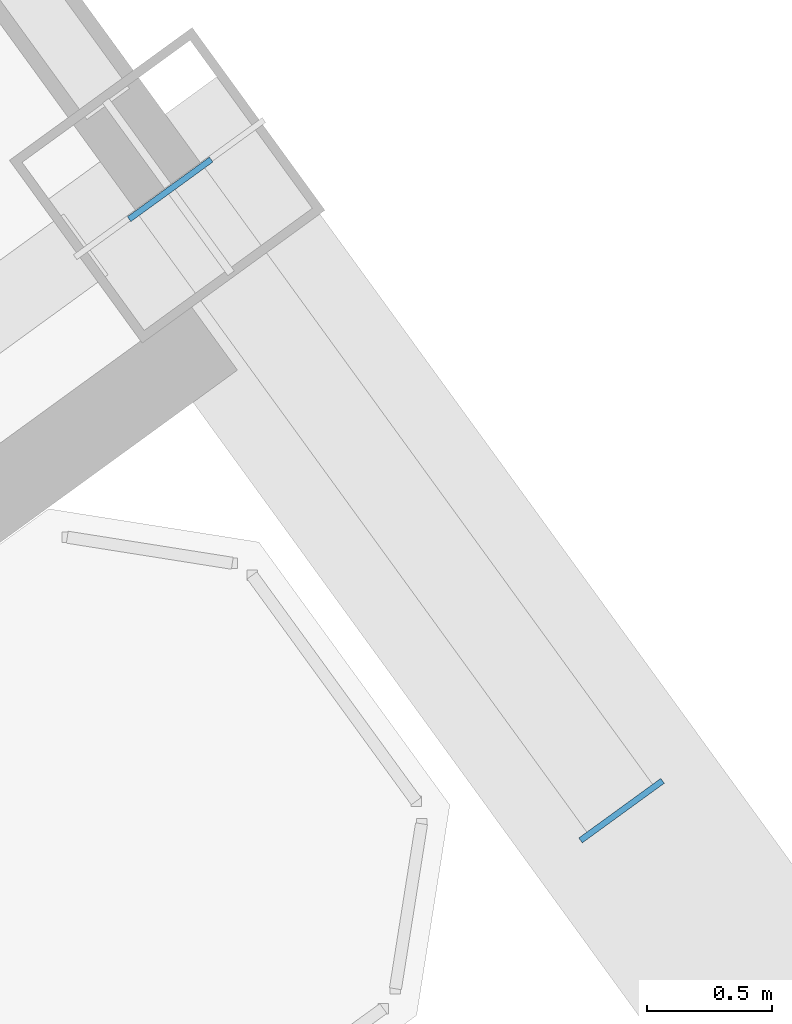
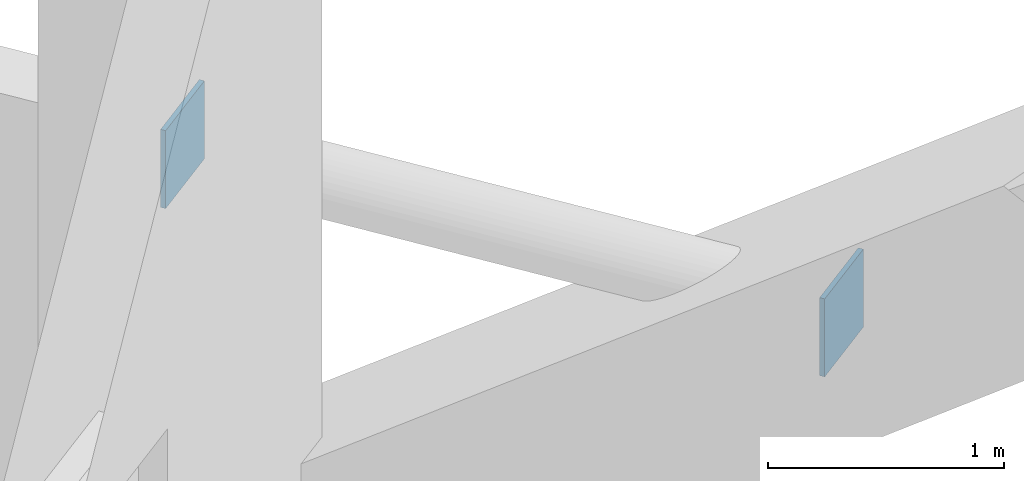
# One storey, part 20 of 32: 2 plates.
"""IFC4 building model written with IfcOpenShell, lengths in metres."""

from ifc_helpers import new_model, si_unit, direction, frame, origin, origin_2d, place, context, subcontext, project, spatial, rectangle, extrude, source, transform, mapped, material, layer, layer_set, type_object, element, save


model = new_model("IFC4")

# Units and contexts
model_context = context("Model", 3, precision=1e-05, world=origin(), true_north=direction((0.0, 1.0)))
body_context = subcontext(model_context, "Body", "Model", "MODEL_VIEW")
ifc_project = project(units=[si_unit("LENGTHUNIT", "METRE"), si_unit("AREAUNIT", "SQUARE_METRE"), si_unit("VOLUMEUNIT", "CUBIC_METRE"), si_unit("PLANEANGLEUNIT", "RADIAN"), si_unit("MASSUNIT", "GRAM", prefix="KILO")], contexts=[model_context])

# Site, building, storey
site_placement = place(None, origin())
site = spatial("IfcSite", under=ifc_project, at=site_placement, CompositionType="ELEMENT")
building_placement = place(site_placement, origin())
building = spatial("IfcBuilding", under=site, at=building_placement, Name="Tlacorven Tower", CompositionType="ELEMENT")
storey_placement = place(building_placement, frame((0.0, 0.0, 123.300048828125)))
storey = spatial("IfcBuildingStorey", under=building, at=storey_placement, Name="L31", CompositionType="ELEMENT", Elevation=123.300048828125)

# Plates
ifc_material = material(Name="Steel S460M", Category="steel")
ifc_layer = layer(ifc_material, 0.02392578125)
ifc_layer_set = layer_set([ifc_layer], Name="Steel S460M")
plate_type = type_object("IfcPlateType", Name="PL-CAP-END1", PredefinedType="USERDEFINED", material=ifc_layer_set)
shared_shape = source(origin(), body_context, "Body", "SweptSolid", [
    extrude(rectangle(XDim=0.02392578125, YDim=0.40380859375, at=origin_2d()), origin(), (0.0, 0.0, 1.0), 0.40380859375),
])
for number, where, z_axis, x_axis, name in (
    (1, (67.279541015625, 23.33740234375, 2.048095703125), (0.0, 0.0, 1.0), (0.587785377015, -0.809016903759, 0.0), "L31 hollow end cap plate SBR-L31-E4 1"),
    (2, (69.078125, 20.86181640625, 2.048095703125), (0.0, 0.0, 1.0), (0.587785377015, -0.809016903759, 0.0), "L31 hollow end cap plate SBR-L31-E4 2"),
):
    element("IfcPlate", number, at=place(storey_placement, frame(where, z_axis=z_axis, x_axis=x_axis)), inside=storey, type_object=plate_type, Name=name, ObjectType="END PLATE", PredefinedType="USERDEFINED", context=body_context, shape_type="MappedRepresentation", body=[
        mapped(shared_shape, transform((0.0, 0.0, 0.0), scale=1.0)),
    ])

save(model, "model.ifc")
